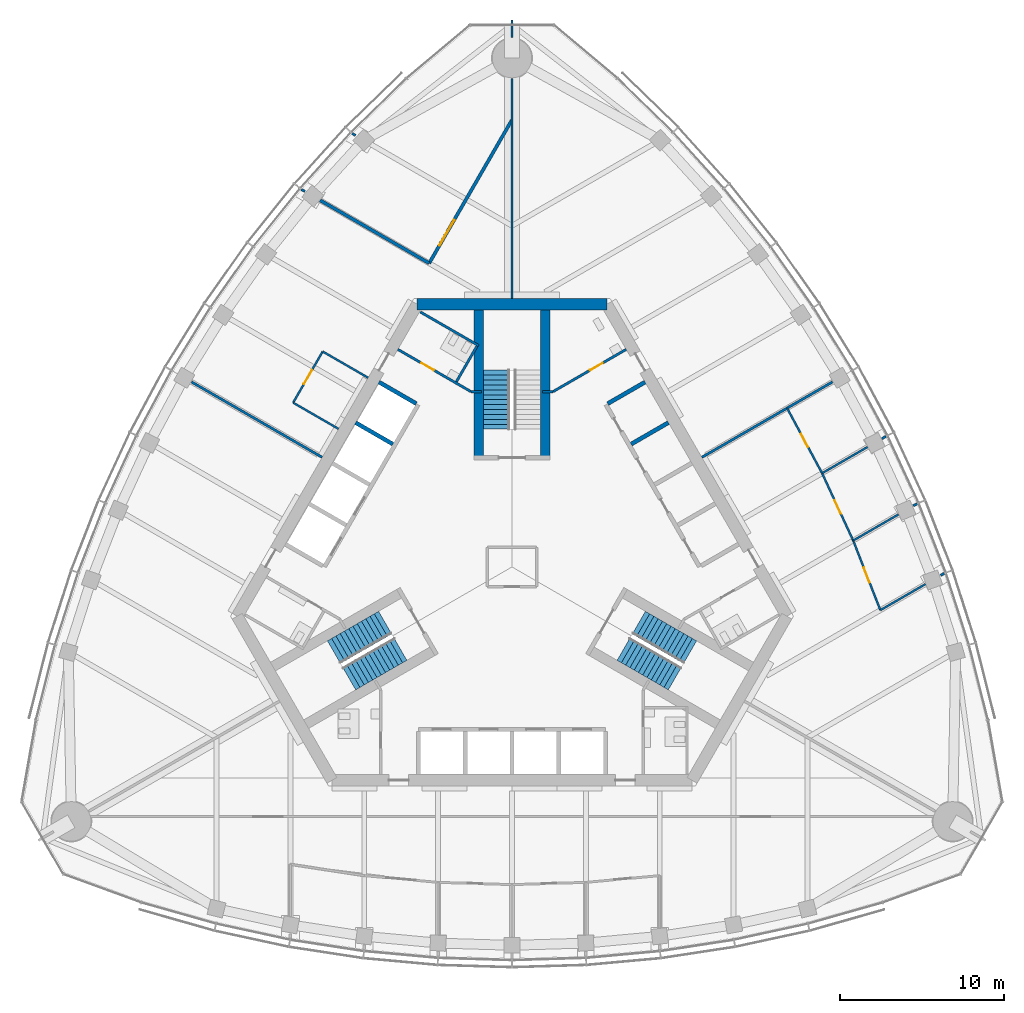
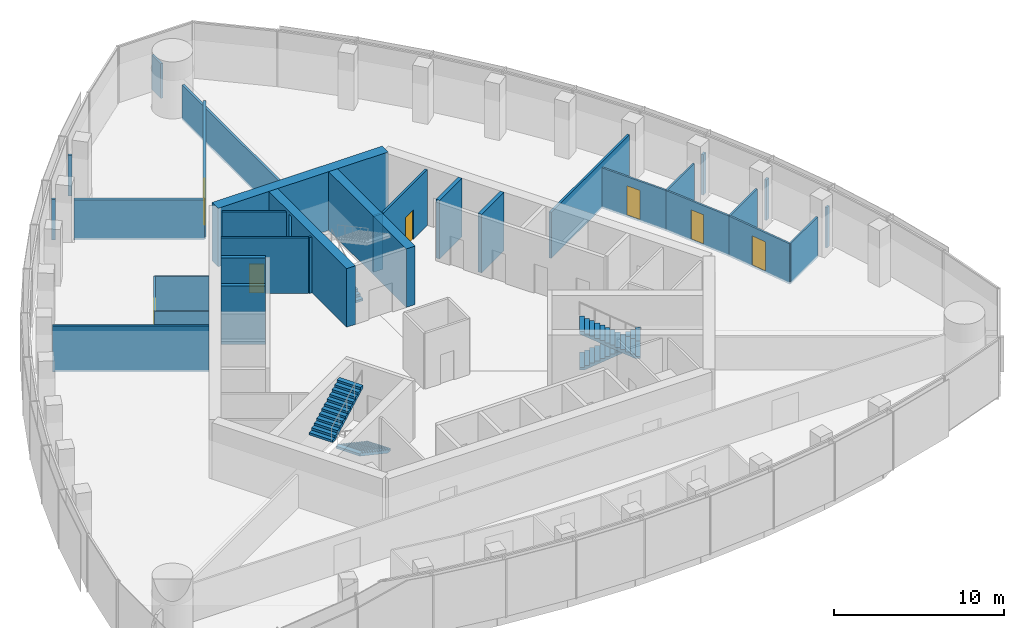
# One storey, part 10 of 16: 33 walls, 7 doors, 5 stair flights, 7 openings, 3 elements without a shape of their own.
"""IFC4 building model written with IfcOpenShell, lengths in metres."""

from ifc_helpers import new_model, si_unit, direction, frame, frame_2d, origin, place, context, subcontext, project, spatial, polyline, rectangle, outline, extrude, material, layer, layer_set, type_object, element, fill, aggregate, save


model = new_model("IFC4")

# Units and contexts
model_context = context("Model", 3, precision=1e-05, world=origin(), true_north=direction((0.0, 1.0)))
body_context = subcontext(model_context, "Body", "Model", "MODEL_VIEW")
ifc_project = project(units=[si_unit("LENGTHUNIT", "METRE"), si_unit("AREAUNIT", "SQUARE_METRE"), si_unit("VOLUMEUNIT", "CUBIC_METRE"), si_unit("PLANEANGLEUNIT", "RADIAN"), si_unit("MASSUNIT", "GRAM", prefix="KILO")], contexts=[model_context])

# Site, building, storey
site_placement = place(None, origin())
site = spatial("IfcSite", under=ifc_project, at=site_placement, CompositionType="ELEMENT")
building_placement = place(site_placement, origin())
building = spatial("IfcBuilding", under=site, at=building_placement, Name="Trefoil Bronze Tower", CompositionType="ELEMENT")
storey_placement = place(building_placement, frame((0.0, 0.0, 293.10009765625)))
storey = spatial("IfcBuildingStorey", under=building, at=storey_placement, Name="L67", CompositionType="ELEMENT", Elevation=293.10009765625)

# Wall, opening, door
ifc_material_1 = material(Name="Gypsum board on steel studs", Category="steel")
ifc_layer_1 = layer(ifc_material_1, 0.199951171875)
ifc_layer_set_1 = layer_set([ifc_layer_1], Name="Acoustic partition 200")
wall_type_1 = type_object("IfcWallType", Name="Acoustic partition 200", PredefinedType="PARTITIONING", material=ifc_layer_set_1)
wall_1_placement = place(storey_placement, frame((-5.045166015625, 18.50146484375, 0.0), z_axis=(0.0, 0.0, 1.0), x_axis=(0.499990381663, 0.866030956863, 0.0)))
wall_1 = element("IfcWall", 1, at=wall_1_placement, inside=storey, type_object=wall_type_1, Name="Partition F3 L67", PredefinedType="PARTITIONING", context=body_context, shape_type="SweptSolid", body=[
    extrude(rectangle(XDim=10.070068359375, YDim=0.199951171875, at=frame_2d((5.03515625, 0.0))), origin(), (0.0, 0.0, 1.0), 2.89990234375),
])
opening_1_placement = place(wall_1_placement, frame((1.25, 0.0, 0.14990234375)))
opening_1 = element("IfcOpeningElement", 2, at=opening_1_placement, cuts=wall_1, Name="Opening D10", PredefinedType="OPENING", context=body_context, shape_type="SweptSolid", body=[
    extrude(rectangle(XDim=1.800048828125, YDim=2.10009765625, at=frame_2d((0.89990234375, 1.050048828125))), frame((0.0, 0.10986328125, 0.0), z_axis=(0.0, -1.0, 0.0), x_axis=(1.0, 0.0, 0.0)), (0.0, 0.0, 1.0), 0.219970703125),
])
ifc_material_2 = material(Name="Timber door", Category="wood")
door_type_1 = type_object("IfcDoorType", Name="Double door 1800", OperationType="DOUBLE_DOOR_SINGLE_SWING", PredefinedType="DOOR", material=ifc_material_2)
door_1_placement = place(opening_1_placement, origin())
door_1 = element("IfcDoor", 3, at=door_1_placement, inside=storey, type_object=door_type_1, Name="Boardroom door F3 L67", OperationType="DOUBLE_DOOR_SINGLE_SWING", OverallHeight=2.10009765625, OverallWidth=1.800048828125, PredefinedType="DOOR", context=body_context, shape_type="SweptSolid", body=[
    extrude(rectangle(XDim=1.800048828125, YDim=2.10009765625, at=frame_2d((0.89990234375, 1.050048828125))), frame((0.0, 0.02490234375, 0.0), z_axis=(0.0, -1.0, 0.0), x_axis=(1.0, 0.0, 0.0)), (0.0, 0.0, 1.0), 0.050048828125),
])
fill(opening_1, door_1)

# Walls
wall_2_placement = place(storey_placement, frame((-5.045166015625, 18.50146484375, 0.0), z_axis=(0.0, 0.0, 1.0), x_axis=(-0.866036625086, 0.499980563632, 0.0)))
element("IfcWall", 4, at=wall_2_placement, inside=storey, type_object=wall_type_1, Name="Partition F3 L67", PredefinedType="PARTITIONING", context=body_context, shape_type="SweptSolid", body=[
    extrude(rectangle(XDim=7.669189453125, YDim=0.199951171875, at=frame_2d((3.83447265625, 0.0))), origin(), (0.0, 0.0, 1.0), 2.89990234375),
])
ifc_material_3 = material(Name="Concrete B80", Category="concrete")
ifc_layer_2 = layer(ifc_material_3, 0.699951171875)
ifc_layer_set_2 = layer_set([ifc_layer_2], Name="Core wall 700")
wall_type_2 = type_object("IfcWallType", Name="Core wall 700", PredefinedType="SHEAR", material=ifc_layer_set_2)
wall_3_placement = place(storey_placement, frame((5.7734375, 16.0, 0.0), z_axis=(0.0, 0.0, 1.0), x_axis=(-1.0, 0.0, 0.0)))
element("IfcWall", 5, at=wall_3_placement, inside=storey, type_object=wall_type_2, Name="Core short wall 2 L67", PredefinedType="SHEAR", context=body_context, shape_type="SweptSolid", body=[
    extrude(rectangle(XDim=11.546875, YDim=0.699951171875, at=frame_2d((5.7734375, 0.0))), origin(), (0.0, 0.0, 1.0), 4.199951171875),
])

# Wall, opening, door
ifc_material_4 = material(Name="Glazed partition", Category="glass")
ifc_layer_3 = layer(ifc_material_4, 0.1201171875)
ifc_layer_set_3 = layer_set([ifc_layer_3], Name="Glazed partition 120")
wall_type_3 = type_object("IfcWallType", Name="Glazed partition 120", PredefinedType="PARTITIONING", material=ifc_layer_set_3)
wall_4_placement = place(storey_placement, frame((22.439208984375, -2.63330078125, 0.0), z_axis=(0.0, 0.0, 1.0), x_axis=(-0.363212149153, 0.931706463811, 0.0)))
wall_4 = element("IfcWall", 6, at=wall_4_placement, inside=storey, type_object=wall_type_3, Name="Partition F2 L67", PredefinedType="PARTITIONING", context=body_context, shape_type="SweptSolid", body=[
    extrude(rectangle(XDim=4.552734375, YDim=0.1201171875, at=frame_2d((2.2763671875, 0.0))), origin(), (0.0, 0.0, 1.0), 2.89990234375),
])
opening_2_placement = place(wall_4_placement, frame((1.800048828125, 0.0, 0.14990234375)))
opening_2 = element("IfcOpeningElement", 7, at=opening_2_placement, cuts=wall_4, Name="Opening D9", PredefinedType="OPENING", context=body_context, shape_type="SweptSolid", body=[
    extrude(rectangle(XDim=1.0, YDim=2.10009765625, at=frame_2d((0.5, 1.050048828125))), frame((0.0, 0.070068359375, 0.0), z_axis=(0.0, -1.0, 0.0), x_axis=(1.0, 0.0, 0.0)), (0.0, 0.0, 1.0), 0.14013671875),
])
ifc_material_5 = material(Name="Glazed timber door", Category="wood")
door_type_2 = type_object("IfcDoorType", Name="Meeting room door 1000", OperationType="SINGLE_SWING_LEFT", PredefinedType="DOOR", material=ifc_material_5)
door_2_placement = place(opening_2_placement, frame((1.0, 0.0, 0.0), z_axis=(0.0, 0.0, 1.0), x_axis=(-1.0, 0.0, 0.0)))
door_2 = element("IfcDoor", 8, at=door_2_placement, inside=storey, type_object=door_type_2, Name="Meeting room door F2 L67", OperationType="SINGLE_SWING_LEFT", OverallHeight=2.10009765625, OverallWidth=1.0, PredefinedType="DOOR", context=body_context, shape_type="SweptSolid", body=[
    extrude(rectangle(XDim=1.0, YDim=2.10009765625, at=frame_2d((0.5, 1.050048828125))), frame((0.0, 0.02490234375, 0.0), z_axis=(0.0, -1.0, 0.0), x_axis=(1.0, 0.0, 0.0)), (0.0, 0.0, 1.0), 0.050048828125),
])
fill(opening_2, door_2)

wall_5_placement = place(storey_placement, frame((18.890869140625, 5.71044921875, 0.0), z_axis=(0.0, 0.0, 1.0), x_axis=(-0.473524102582, 0.880780860529, 0.0)))
wall_5 = element("IfcWall", 9, at=wall_5_placement, inside=storey, type_object=wall_type_3, Name="Partition F2 L67", PredefinedType="PARTITIONING", context=body_context, shape_type="SweptSolid", body=[
    extrude(rectangle(XDim=4.501953125, YDim=0.1201171875, at=frame_2d((2.2509765625, 0.0))), origin(), (0.0, 0.0, 1.0), 2.89990234375),
])
opening_3_placement = place(wall_5_placement, frame((1.800048828125, 0.0, 0.14990234375)))
opening_3 = element("IfcOpeningElement", 10, at=opening_3_placement, cuts=wall_5, Name="Opening D8", PredefinedType="OPENING", context=body_context, shape_type="SweptSolid", body=[
    extrude(rectangle(XDim=0.89990234375, YDim=2.10009765625, at=frame_2d((0.449951171875, 1.050048828125))), frame((0.0, 0.070068359375, 0.0), z_axis=(0.0, -1.0, 0.0), x_axis=(1.0, 0.0, 0.0)), (0.0, 0.0, 1.0), 0.14013671875),
])
ifc_material_6 = material(Name="Timber door", Category="wood")
door_type_3 = type_object("IfcDoorType", Name="Office door 900", OperationType="SINGLE_SWING_LEFT", PredefinedType="DOOR", material=ifc_material_6)
door_3_placement = place(opening_3_placement, frame((0.89990234375, 0.0, 0.0), z_axis=(0.0, 0.0, 1.0), x_axis=(-1.0, 0.0, 0.0)))
door_3 = element("IfcDoor", 11, at=door_3_placement, inside=storey, type_object=door_type_3, Name="Office door F2 L67", OperationType="SINGLE_SWING_RIGHT", OverallHeight=2.10009765625, OverallWidth=0.89990234375, PredefinedType="DOOR", context=body_context, shape_type="SweptSolid", body=[
    extrude(rectangle(XDim=0.89990234375, YDim=2.10009765625, at=frame_2d((0.449951171875, 1.050048828125))), frame((0.0, 0.02490234375, 0.0), z_axis=(0.0, -1.0, 0.0), x_axis=(1.0, 0.0, 0.0)), (0.0, 0.0, 1.0), 0.050048828125),
])
fill(opening_3, door_3)

wall_6_placement = place(storey_placement, frame((20.78564453125, 1.6083984375, 0.0), z_axis=(0.0, 0.0, 1.0), x_axis=(-0.419335693458, 0.907831248742, 0.0)))
wall_6 = element("IfcWall", 12, at=wall_6_placement, inside=storey, type_object=wall_type_3, Name="Partition F2 L67", PredefinedType="PARTITIONING", context=body_context, shape_type="SweptSolid", body=[
    extrude(rectangle(XDim=4.5185546875, YDim=0.1201171875, at=frame_2d((2.25927734375, 0.0))), origin(), (0.0, 0.0, 1.0), 2.89990234375),
])
opening_4_placement = place(wall_6_placement, frame((1.800048828125, 0.0, 0.14990234375)))
opening_4 = element("IfcOpeningElement", 13, at=opening_4_placement, cuts=wall_6, Name="Opening D8", PredefinedType="OPENING", context=body_context, shape_type="SweptSolid", body=[
    extrude(rectangle(XDim=0.89990234375, YDim=2.10009765625, at=frame_2d((0.449951171875, 1.050048828125))), frame((0.0, 0.070068359375, 0.0), z_axis=(0.0, -1.0, 0.0), x_axis=(1.0, 0.0, 0.0)), (0.0, 0.0, 1.0), 0.14013671875),
])
door_4_placement = place(opening_4_placement, frame((0.89990234375, 0.0, 0.0), z_axis=(0.0, 0.0, 1.0), x_axis=(-1.0, 0.0, 0.0)))
door_4 = element("IfcDoor", 14, at=door_4_placement, inside=storey, type_object=door_type_3, Name="Office door F2 L67", OperationType="SINGLE_SWING_RIGHT", OverallHeight=2.10009765625, OverallWidth=0.89990234375, PredefinedType="DOOR", context=body_context, shape_type="SweptSolid", body=[
    extrude(rectangle(XDim=0.89990234375, YDim=2.10009765625, at=frame_2d((0.449951171875, 1.050048828125))), frame((0.0, 0.02490234375, 0.0), z_axis=(0.0, -1.0, 0.0), x_axis=(1.0, 0.0, 0.0)), (0.0, 0.0, 1.0), 0.050048828125),
])
fill(opening_4, door_4)

# Walls
wall_7_placement = place(storey_placement, frame((22.439208984375, -2.63330078125, 0.0), z_axis=(0.0, 0.0, 1.0), x_axis=(0.86599465956, 0.500053246778, 0.0)))
element("IfcWall", 15, at=wall_7_placement, inside=storey, type_object=wall_type_3, Name="Partition F2 L67", PredefinedType="PARTITIONING", context=body_context, shape_type="SweptSolid", body=[
    extrude(rectangle(XDim=3.173095703125, YDim=0.1201171875, at=frame_2d((1.58642578125, 0.0))), origin(), (0.0, 0.0, 1.0), 2.89990234375),
])
wall_8_placement = place(storey_placement, frame((18.890869140625, 5.71044921875, 0.0), z_axis=(0.0, 0.0, 1.0), x_axis=(0.866008575759, 0.500029145862, 0.0)))
element("IfcWall", 16, at=wall_8_placement, inside=storey, type_object=wall_type_3, Name="Partition F2 L67", PredefinedType="PARTITIONING", context=body_context, shape_type="SweptSolid", body=[
    extrude(rectangle(XDim=3.192626953125, YDim=0.1201171875, at=frame_2d((1.59619140625, 0.0))), origin(), (0.0, 0.0, 1.0), 2.89990234375),
])
wall_9_placement = place(storey_placement, frame((20.78564453125, 1.6083984375, 0.0), z_axis=(0.0, 0.0, 1.0), x_axis=(0.866060515081, 0.499939180519, 0.0)))
element("IfcWall", 17, at=wall_9_placement, inside=storey, type_object=wall_type_3, Name="Partition F2 L67", PredefinedType="PARTITIONING", context=body_context, shape_type="SweptSolid", body=[
    extrude(rectangle(XDim=3.185546875, YDim=0.1201171875, at=frame_2d((1.5927734375, 0.0))), origin(), (0.0, 0.0, 1.0), 2.89990234375),
])

# Wall, opening, door
wall_10_placement = place(storey_placement, frame((-11.53271484375, 13.124755859375, 0.0), z_axis=(0.0, 0.0, 1.0), x_axis=(-0.500012057535, -0.866018442252, 0.0)))
wall_10 = element("IfcWall", 18, at=wall_10_placement, inside=storey, type_object=wall_type_3, Name="Partition F3 L67", PredefinedType="PARTITIONING", context=body_context, shape_type="SweptSolid", body=[
    extrude(rectangle(XDim=3.60009765625, YDim=0.1201171875, at=frame_2d((1.800048828125, 0.0))), origin(), (0.0, 0.0, 1.0), 2.89990234375),
])
opening_5_placement = place(wall_10_placement, frame((1.300048828125, 0.0, 0.14990234375)))
opening_5 = element("IfcOpeningElement", 19, at=opening_5_placement, cuts=wall_10, Name="Opening D9", PredefinedType="OPENING", context=body_context, shape_type="SweptSolid", body=[
    extrude(rectangle(XDim=1.0, YDim=2.10009765625, at=frame_2d((0.5, 1.050048828125))), frame((0.0, 0.070068359375, 0.0), z_axis=(0.0, -1.0, 0.0), x_axis=(1.0, 0.0, 0.0)), (0.0, 0.0, 1.0), 0.14013671875),
])
door_5_placement = place(opening_5_placement, origin())
door_5 = element("IfcDoor", 20, at=door_5_placement, inside=storey, type_object=door_type_2, Name="Meeting room door F3 L67", OperationType="SINGLE_SWING_RIGHT", OverallHeight=2.10009765625, OverallWidth=1.0, PredefinedType="DOOR", context=body_context, shape_type="SweptSolid", body=[
    extrude(rectangle(XDim=1.0, YDim=2.10009765625, at=frame_2d((0.5, 1.050048828125))), frame((0.0, 0.02490234375, 0.0), z_axis=(0.0, -1.0, 0.0), x_axis=(1.0, 0.0, 0.0)), (0.0, 0.0, 1.0), 0.050048828125),
])
fill(opening_5, door_5)

# Walls
for number, where, z_axis, x_axis, name in (
    (21, (-10.5615234375, 8.406982421875, 0.0), (0.0, 0.0, 1.0), (-0.866008981251, 0.500028443584, 0.0), "Partition F3 L67"),
    (22, (-8.761474609375, 11.524658203125, 0.0), (0.0, 0.0, 1.0), (-0.866008981251, 0.500028443584, 0.0), "Partition F3 L67"),
):
    element("IfcWall", number, at=place(storey_placement, frame(where, z_axis=z_axis, x_axis=x_axis)), inside=storey, type_object=wall_type_3, Name=name, PredefinedType="PARTITIONING", context=body_context, shape_type="SweptSolid", body=[
        extrude(rectangle(XDim=3.199951171875, YDim=0.1201171875, at=frame_2d((1.60009765625, 0.0))), origin(), (0.0, 0.0, 1.0), 2.89990234375),
    ])

# Wall, opening, door
ifc_material_7 = material(Name="Gypsum board on steel studs", Category="steel")
ifc_layer_4 = layer(ifc_material_7, 0.14990234375)
ifc_layer_set_4 = layer_set([ifc_layer_4], Name="Partition 150")
wall_type_4 = type_object("IfcWallType", Name="Partition 150", PredefinedType="PARTITIONING", material=ifc_layer_set_4)
wall_11_placement = place(storey_placement, frame((2.4951171875, 10.67822265625, 0.0), z_axis=(0.0, 0.0, 1.0), x_axis=(0.866037967349, 0.499978238636, 0.0)))
wall_11 = element("IfcWall", 23, at=wall_11_placement, inside=storey, type_object=wall_type_4, Name="Passage wall F2+ L67", PredefinedType="PARTITIONING", context=body_context, shape_type="SweptSolid", body=[
    extrude(rectangle(XDim=5.150146484375, YDim=0.14990234375, at=frame_2d((2.5751953125, 0.0))), origin(), (0.0, 0.0, 1.0), 4.0),
])
opening_6_placement = place(wall_11_placement, frame((2.60009765625, 0.0, 0.0)))
opening_6 = element("IfcOpeningElement", 24, at=opening_6_placement, cuts=wall_11, Name="Opening D3", PredefinedType="OPENING", context=body_context, shape_type="SweptSolid", body=[
    extrude(rectangle(XDim=0.89990234375, YDim=2.10009765625, at=frame_2d((0.449951171875, 1.050048828125))), frame((0.0, 0.0849609375, 0.0), z_axis=(0.0, -1.0, 0.0), x_axis=(1.0, 0.0, 0.0)), (0.0, 0.0, 1.0), 0.169921875),
])
ifc_material_8 = material(Name="Timber door", Category="wood")
door_type_4 = type_object("IfcDoorType", Name="WC door 900", OperationType="SINGLE_SWING_LEFT", PredefinedType="DOOR", material=ifc_material_8)
door_6_placement = place(opening_6_placement, origin())
door_6 = element("IfcDoor", 25, at=door_6_placement, inside=storey, type_object=door_type_4, Name="Accessible WC door L67", OperationType="SINGLE_SWING_RIGHT", OverallHeight=2.10009765625, OverallWidth=0.89990234375, PredefinedType="DOOR", context=body_context, shape_type="SweptSolid", body=[
    extrude(rectangle(XDim=0.89990234375, YDim=2.10009765625, at=frame_2d((0.449951171875, 1.050048828125))), frame((0.0, 0.02490234375, 0.0), z_axis=(0.0, -1.0, 0.0), x_axis=(1.0, 0.0, 0.0)), (0.0, 0.0, 1.0), 0.050048828125),
])
fill(opening_6, door_6)

wall_12_placement = place(storey_placement, frame((-2.4951171875, 10.67822265625, 0.0), z_axis=(0.0, 0.0, 1.0), x_axis=(-0.866037967349, 0.499978238636, 0.0)))
wall_12 = element("IfcWall", 26, at=wall_12_placement, inside=storey, type_object=wall_type_4, Name="Passage wall F3- L67", PredefinedType="PARTITIONING", context=body_context, shape_type="SweptSolid", body=[
    extrude(rectangle(XDim=5.150146484375, YDim=0.14990234375, at=frame_2d((2.5751953125, 0.0))), origin(), (0.0, 0.0, 1.0), 4.0),
])
opening_7_placement = place(wall_12_placement, frame((2.60009765625, 0.0, 0.0)))
opening_7 = element("IfcOpeningElement", 27, at=opening_7_placement, cuts=wall_12, Name="Opening D3", PredefinedType="OPENING", context=body_context, shape_type="SweptSolid", body=[
    extrude(rectangle(XDim=0.89990234375, YDim=2.10009765625, at=frame_2d((0.449951171875, 1.050048828125))), frame((0.0, 0.0849609375, 0.0), z_axis=(0.0, -1.0, 0.0), x_axis=(1.0, 0.0, 0.0)), (0.0, 0.0, 1.0), 0.169921875),
])
door_7_placement = place(opening_7_placement, frame((0.89990234375, 0.0, 0.0), z_axis=(0.0, 0.0, 1.0), x_axis=(-1.0, 0.0, 0.0)))
door_7 = element("IfcDoor", 28, at=door_7_placement, inside=storey, type_object=door_type_4, Name="WC (women) door L67", OperationType="SINGLE_SWING_RIGHT", OverallHeight=2.10009765625, OverallWidth=0.89990234375, PredefinedType="DOOR", context=body_context, shape_type="SweptSolid", body=[
    extrude(rectangle(XDim=0.89990234375, YDim=2.10009765625, at=frame_2d((0.449951171875, 1.050048828125))), frame((0.0, 0.02490234375, 0.0), z_axis=(0.0, -1.0, 0.0), x_axis=(1.0, 0.0, 0.0)), (0.0, 0.0, 1.0), 0.050048828125),
])
fill(opening_7, door_7)

# Walls
for number, where, z_axis, x_axis, name in (
    (29, (2.4951171875, 10.67822265625, 0.0), (0.0, 0.0, 1.0), (-1.0, 0.0, 0.0), "WC wall ST2-1 L67"),
    (30, (-2.4951171875, 10.67822265625, 0.0), (0.0, 0.0, 1.0), (1.0, 0.0, 0.0), "WC wall ST2+1 L67"),
):
    element("IfcWall", number, at=place(storey_placement, frame(where, z_axis=z_axis, x_axis=x_axis)), inside=storey, type_object=wall_type_4, Name=name, PredefinedType="PARTITIONING", context=body_context, shape_type="SweptSolid", body=[
        extrude(rectangle(XDim=0.64501953125, YDim=0.14990234375, at=frame_2d((0.322509765625, 0.0))), origin(), (0.0, 0.0, 1.0), 4.0),
    ])
wall_13_placement = place(storey_placement, frame((-2.03125, 13.48193359375, 0.0), z_axis=(0.0, 0.0, 1.0), x_axis=(-0.866050731258, 0.499956128963, 0.0)))
element("IfcWall", 31, at=wall_13_placement, inside=storey, type_object=wall_type_4, Name="WC partition WC (women) L67", PredefinedType="PARTITIONING", context=body_context, shape_type="SweptSolid", body=[
    extrude(rectangle(XDim=4.099853515625, YDim=0.14990234375, at=frame_2d((2.0498046875, 0.0))), origin(), (0.0, 0.0, 1.0), 4.0),
])
wall_14_placement = place(storey_placement, frame((-3.388671875, 11.28076171875, 0.0), z_axis=(0.0, 0.0, 1.0), x_axis=(0.499989096993, 0.866031698547, 0.0)))
element("IfcWall", 32, at=wall_14_placement, inside=storey, type_object=wall_type_4, Name="WC partition WC (women) L67", PredefinedType="PARTITIONING", context=body_context, shape_type="SweptSolid", body=[
    extrude(rectangle(XDim=2.509765625, YDim=0.14990234375, at=frame_2d((1.2548828125, 0.0))), origin(), (0.0, 0.0, 1.0), 4.0),
])
wall_15_placement = place(storey_placement, frame((26.114501953125, -0.51123046875, 0.0), z_axis=(0.0, 0.0, 1.0), x_axis=(0.866201770413, 0.499694399542, 0.0)))
element("IfcWall", 33, at=wall_15_placement, inside=storey, type_object=wall_type_4, Name="Partition F2 L67", PredefinedType="PARTITIONING", context=body_context, shape_type="SweptSolid", body=[
    extrude(rectangle(XDim=0.251220703125, YDim=0.14990234375, at=frame_2d((0.12548828125, 0.0))), origin(), (0.0, 0.0, 1.0), 2.89990234375),
])
wall_16_placement = place(storey_placement, frame((22.532958984375, 7.813232421875, 0.0), z_axis=(0.0, 0.0, 1.0), x_axis=(0.866003030001, 0.500038750527, 0.0)))
element("IfcWall", 34, at=wall_16_placement, inside=storey, type_object=wall_type_4, Name="Partition F2 L67", PredefinedType="PARTITIONING", context=body_context, shape_type="SweptSolid", body=[
    extrude(rectangle(XDim=0.28955078125, YDim=0.14990234375, at=frame_2d((0.144775390625, 0.0))), origin(), (0.0, 0.0, 1.0), 2.89990234375),
])
wall_17_placement = place(storey_placement, frame((24.446533203125, 3.721923828125, 0.0), z_axis=(0.0, 0.0, 1.0), x_axis=(0.866215944259, 0.499669828899, 0.0)))
element("IfcWall", 35, at=wall_17_placement, inside=storey, type_object=wall_type_4, Name="Partition F2 L67", PredefinedType="PARTITIONING", context=body_context, shape_type="SweptSolid", body=[
    extrude(rectangle(XDim=0.267822265625, YDim=0.14990234375, at=frame_2d((0.1337890625, 0.0))), origin(), (0.0, 0.0, 1.0), 2.89990234375),
])
wall_18_placement = place(storey_placement, frame((-12.614501953125, 22.87158203125, 0.0), z_axis=(0.0, 0.0, 1.0), x_axis=(-0.866201770413, 0.499694399542, 0.0)))
element("IfcWall", 36, at=wall_18_placement, inside=storey, type_object=wall_type_4, Name="Partition F3 L67", PredefinedType="PARTITIONING", context=body_context, shape_type="SweptSolid", body=[
    extrude(rectangle(XDim=0.251220703125, YDim=0.14990234375, at=frame_2d((0.12548828125, 0.0))), origin(), (0.0, 0.0, 1.0), 2.89990234375),
])
wall_19_placement = place(storey_placement, frame((-9.52978515625, 26.28662109375, 0.0), z_axis=(0.0, 0.0, 1.0), x_axis=(-0.866100656052, 0.499869636591, 0.0)))
element("IfcWall", 37, at=wall_19_placement, inside=storey, type_object=wall_type_4, Name="Partition F3 L67", PredefinedType="PARTITIONING", context=body_context, shape_type="SweptSolid", body=[
    extrude(rectangle(XDim=0.2392578125, YDim=0.14990234375, at=frame_2d((0.11962890625, 0.0))), origin(), (0.0, 0.0, 1.0), 2.89990234375),
])
ifc_material_9 = material(Name="Gypsum board on steel studs", Category="steel")
ifc_layer_5 = layer(ifc_material_9, 0.14990234375)
ifc_layer_set_5 = layer_set([ifc_layer_5], Name="Party wall 150")
wall_type_5 = type_object("IfcWallType", Name="Party wall 150", PredefinedType="PARTITIONING", material=ifc_layer_set_5)
wall_20_placement = place(storey_placement, frame((0.0, 16.35009765625, 0.0), z_axis=(0.0, 0.0, 1.0), x_axis=(0.0, 1.0, 0.0)))
element("IfcWall", 38, at=wall_20_placement, inside=storey, type_object=wall_type_5, Name="Party wall K2 L67", PredefinedType="PARTITIONING", context=body_context, shape_type="SweptSolid", body=[
    extrude(rectangle(XDim=13.39990234375, YDim=0.14990234375, at=frame_2d((6.699951171875, 0.0))), origin(), (0.0, 0.0, 1.0), 2.5),
])
wall_21_placement = place(storey_placement, frame((0.0, 32.25, 0.0), z_axis=(0.0, 0.0, 1.0), x_axis=(0.0, 1.0, 0.0)))
element("IfcWall", 39, at=wall_21_placement, inside=storey, type_object=wall_type_5, Name="Party wall K2 L67", PredefinedType="PARTITIONING", context=body_context, shape_type="SweptSolid", body=[
    extrude(rectangle(XDim=1.06982421875, YDim=0.14990234375, at=frame_2d((0.534912109375, 0.0))), origin(), (0.0, 0.0, 1.0), 2.5),
])
for number, where, z_axis, x_axis, name in (
    (40, (11.570068359375, 6.679931640625, 0.0), (0.0, 0.0, 1.0), (0.866026706704, 0.49999774327, 0.0), "Demising wall F2 L67"),
    (41, (-11.570068359375, 6.679931640625, 0.0), (0.0, 0.0, 1.0), (-0.866026706704, 0.49999774327, 0.0), "Demising wall F3 L67"),
):
    element("IfcWall", number, at=place(storey_placement, frame(where, z_axis=z_axis, x_axis=x_axis)), inside=storey, type_object=wall_type_5, Name=name, PredefinedType="PARTITIONING", context=body_context, shape_type="SweptSolid", body=[
        extrude(rectangle(XDim=9.1865234375, YDim=0.14990234375, at=frame_2d((4.59326171875, 0.0))), origin(), (0.0, 0.0, 1.0), 3.2998046875),
    ])
ifc_material_10 = material(Name="Concrete B80", Category="concrete")
ifc_layer_6 = layer(ifc_material_10, 0.25)
ifc_layer_set_6 = layer_set([ifc_layer_6], Name="Shaft wall 250")
wall_type_6 = type_object("IfcWallType", Name="Shaft wall 250", PredefinedType="SHEAR", material=ifc_layer_set_6)
for number, where, z_axis, x_axis, name in (
    (42, (7.2568359375, 7.480712890625, 0.0), (0.0, 0.0, 1.0), (0.866036909293, 0.499980071345, 0.0), "Lift shaft side wall B3 L67"),
    (43, (5.831787109375, 9.94873046875, 0.0), (0.0, 0.0, 1.0), (0.866036909293, 0.499980071345, 0.0), "Lift shaft side wall B4 L67"),
    (44, (-5.831787109375, 9.94873046875, 0.0), (0.0, 0.0, 1.0), (-0.866036909293, 0.499980071345, 0.0), "Lift shaft side wall C0 L67"),
    (45, (-7.2568359375, 7.480712890625, 0.0), (0.0, 0.0, 1.0), (-0.866036909293, 0.499980071345, 0.0), "Lift shaft side wall C1 L67"),
):
    element("IfcWall", number, at=place(storey_placement, frame(where, z_axis=z_axis, x_axis=x_axis)), inside=storey, type_object=wall_type_6, Name=name, PredefinedType="SHEAR", context=body_context, shape_type="SweptSolid", body=[
        extrude(rectangle(XDim=2.625, YDim=0.25, at=frame_2d((1.3125, 0.0))), origin(), (0.0, 0.0, 1.0), 4.199951171875),
    ])
ifc_material_11 = material(Name="Concrete B80", Category="concrete")
ifc_layer_7 = layer(ifc_material_11, 0.60009765625)
ifc_layer_set_7 = layer_set([ifc_layer_7], Name="Stair wall 600")
wall_type_7 = type_object("IfcWallType", Name="Stair wall 600", PredefinedType="SHEAR", material=ifc_layer_set_7)
for number, where, z_axis, x_axis, name in (
    (46, (2.02490234375, 6.52490234375, 0.0), (0.0, 0.0, 1.0), (0.0, 1.0, 0.0), "Stair wall ST2 L67"),
    (47, (-2.02490234375, 6.52490234375, 0.0), (0.0, 0.0, 1.0), (0.0, 1.0, 0.0), "Stair wall ST2 L67"),
):
    element("IfcWall", number, at=place(storey_placement, frame(where, z_axis=z_axis, x_axis=x_axis)), inside=storey, type_object=wall_type_7, Name=name, PredefinedType="SHEAR", context=body_context, shape_type="SweptSolid", body=[
        extrude(rectangle(XDim=9.125, YDim=0.60009765625, at=frame_2d((4.5625, 0.0))), origin(), (0.0, 0.0, 1.0), 4.199951171875),
    ])

# Stair, stair flights
ifc_material_12 = material(Name="Precast concrete B80", Category="concrete")
stair_type = type_object("IfcStairType", Name="Exit stair 26 risers", PredefinedType="HALF_TURN_STAIR", material=ifc_material_12)
stair_1_placement = place(storey_placement, origin())
stair_1 = element("IfcStair", 48, at=stair_1_placement, inside=storey, type_object=stair_type, Name="Stair ST1 L67", PredefinedType="HALF_TURN_STAIR")
ifc_material_13 = material(Name="Precast concrete B80", Category="concrete")
stair_flight_type = type_object("IfcStairFlightType", Name="Stair flight 1600", PredefinedType="STRAIGHT", material=ifc_material_13)
stair_flight_1_placement = place(storey_placement, frame((7.728515625, -3.39404296875, 0.0), z_axis=(0.0, 0.0, 1.0), x_axis=(0.866025403784, -0.5, 0.0)))
stair_flight_1 = element("IfcStairFlight", 49, at=stair_flight_1_placement, type_object=stair_flight_type, Name="ST1 flight 1", NumberOfRisers=13, NumberOfTreads=12, PredefinedType="STRAIGHT", RiserHeight=0.161538462, TreadLength=0.3, context=body_context, shape_type="SweptSolid", body=[
    extrude(outline(polyline([(0.0, 0.0), (0.0, 0.16162109375), (0.300048828125, 0.16162109375), (0.300048828125, 0.322998046875), (0.60009765625, 0.322998046875), (0.60009765625, 0.484619140625), (0.89990234375, 0.484619140625), (0.89990234375, 0.646240234375), (1.199951171875, 0.646240234375), (1.199951171875, 0.8076171875), (1.5, 0.8076171875), (1.5, 0.96923828125), (1.800048828125, 0.96923828125), (1.800048828125, 1.130859375), (2.10009765625, 1.130859375), (2.10009765625, 1.292236328125), (2.39990234375, 1.292236328125), (2.39990234375, 1.453857421875), (2.699951171875, 1.453857421875), (2.699951171875, 1.615478515625), (3.0, 1.615478515625), (3.0, 1.77685546875), (3.300048828125, 1.77685546875), (3.300048828125, 1.9384765625), (3.60009765625, 1.9384765625), (3.60009765625, 2.10009765625), (3.60009765625, 1.768310546875), (0.316162109375, 0.0), (0.0, 0.0)])), frame((0.0, 0.800048828125, 0.0), z_axis=(0.0, -1.0, 0.0), x_axis=(1.0, 0.0, 0.0)), (0.0, 0.0, 1.0), 1.60009765625),
])
stair_flight_2_placement = place(storey_placement, frame((9.921142578125, -6.796142578125, 2.099853515625), z_axis=(0.0, 0.0, 1.0), x_axis=(-0.866025403784, 0.5, 0.0)))
stair_flight_2 = element("IfcStairFlight", 50, at=stair_flight_2_placement, type_object=stair_flight_type, Name="ST1 flight 2", NumberOfRisers=13, NumberOfTreads=12, PredefinedType="STRAIGHT", RiserHeight=0.161538462, TreadLength=0.3, context=body_context, shape_type="SweptSolid", body=[
    extrude(outline(polyline([(0.0, 0.0), (0.0, 0.16162109375), (0.300048828125, 0.16162109375), (0.300048828125, 0.322998046875), (0.60009765625, 0.322998046875), (0.60009765625, 0.484619140625), (0.89990234375, 0.484619140625), (0.89990234375, 0.646240234375), (1.199951171875, 0.646240234375), (1.199951171875, 0.8076171875), (1.5, 0.8076171875), (1.5, 0.96923828125), (1.800048828125, 0.96923828125), (1.800048828125, 1.130859375), (2.10009765625, 1.130859375), (2.10009765625, 1.292236328125), (2.39990234375, 1.292236328125), (2.39990234375, 1.453857421875), (2.699951171875, 1.453857421875), (2.699951171875, 1.615478515625), (3.0, 1.615478515625), (3.0, 1.77685546875), (3.300048828125, 1.77685546875), (3.300048828125, 1.9384765625), (3.60009765625, 1.9384765625), (3.60009765625, 2.10009765625), (3.60009765625, 1.768310546875), (0.316162109375, 0.0), (0.0, 0.0)])), frame((0.0, 0.800048828125, 0.0), z_axis=(0.0, -1.0, 0.0), x_axis=(1.0, 0.0, 0.0)), (0.0, 0.0, 1.0), 1.60009765625),
])
aggregate(stair_1, [stair_flight_1, stair_flight_2])

# Stair, stair flight
stair_2_placement = place(storey_placement, origin())
stair_2 = element("IfcStair", 51, at=stair_2_placement, inside=storey, type_object=stair_type, Name="Stair ST2 L67", PredefinedType="HALF_TURN_STAIR")
stair_flight_3_placement = place(storey_placement, frame((-0.925048828125, 8.389892578125, 0.0), z_axis=(0.0, 0.0, 1.0), x_axis=(0.0, 1.0, 0.0)))
stair_flight_3 = element("IfcStairFlight", 52, at=stair_flight_3_placement, type_object=stair_flight_type, Name="ST2 flight 1", NumberOfRisers=13, NumberOfTreads=12, PredefinedType="STRAIGHT", RiserHeight=0.161538462, TreadLength=0.3, context=body_context, shape_type="SweptSolid", body=[
    extrude(outline(polyline([(0.0, 0.0), (0.0, 0.16162109375), (0.300048828125, 0.16162109375), (0.300048828125, 0.322998046875), (0.60009765625, 0.322998046875), (0.60009765625, 0.484619140625), (0.89990234375, 0.484619140625), (0.89990234375, 0.646240234375), (1.199951171875, 0.646240234375), (1.199951171875, 0.8076171875), (1.5, 0.8076171875), (1.5, 0.96923828125), (1.800048828125, 0.96923828125), (1.800048828125, 1.130859375), (2.10009765625, 1.130859375), (2.10009765625, 1.292236328125), (2.39990234375, 1.292236328125), (2.39990234375, 1.453857421875), (2.699951171875, 1.453857421875), (2.699951171875, 1.615478515625), (3.0, 1.615478515625), (3.0, 1.77685546875), (3.300048828125, 1.77685546875), (3.300048828125, 1.9384765625), (3.60009765625, 1.9384765625), (3.60009765625, 2.10009765625), (3.60009765625, 1.768310546875), (0.316162109375, 0.0), (0.0, 0.0)])), frame((0.0, 0.800048828125, 0.0), z_axis=(0.0, -1.0, 0.0), x_axis=(1.0, 0.0, 0.0)), (0.0, 0.0, 1.0), 1.60009765625),
])
aggregate(stair_2, [stair_flight_3])

# Stair, stair flights
stair_3_placement = place(storey_placement, origin())
stair_3 = element("IfcStair", 53, at=stair_3_placement, inside=storey, type_object=stair_type, Name="Stair ST3 L67", PredefinedType="HALF_TURN_STAIR")
stair_flight_4_placement = place(storey_placement, frame((-6.803466796875, -4.99609375, 0.0), z_axis=(0.0, 0.0, 1.0), x_axis=(-0.866025403784, -0.5, 0.0)))
stair_flight_4 = element("IfcStairFlight", 54, at=stair_flight_4_placement, type_object=stair_flight_type, Name="ST3 flight 1", NumberOfRisers=13, NumberOfTreads=12, PredefinedType="STRAIGHT", RiserHeight=0.161538462, TreadLength=0.3, context=body_context, shape_type="SweptSolid", body=[
    extrude(outline(polyline([(0.0, 0.0), (0.0, 0.16162109375), (0.300048828125, 0.16162109375), (0.300048828125, 0.322998046875), (0.60009765625, 0.322998046875), (0.60009765625, 0.484619140625), (0.89990234375, 0.484619140625), (0.89990234375, 0.646240234375), (1.199951171875, 0.646240234375), (1.199951171875, 0.8076171875), (1.5, 0.8076171875), (1.5, 0.96923828125), (1.800048828125, 0.96923828125), (1.800048828125, 1.130859375), (2.10009765625, 1.130859375), (2.10009765625, 1.292236328125), (2.39990234375, 1.292236328125), (2.39990234375, 1.453857421875), (2.699951171875, 1.453857421875), (2.699951171875, 1.615478515625), (3.0, 1.615478515625), (3.0, 1.77685546875), (3.300048828125, 1.77685546875), (3.300048828125, 1.9384765625), (3.60009765625, 1.9384765625), (3.60009765625, 2.10009765625), (3.60009765625, 1.768310546875), (0.316162109375, 0.0), (0.0, 0.0)])), frame((0.0, 0.800048828125, 0.0), z_axis=(0.0, -1.0, 0.0), x_axis=(1.0, 0.0, 0.0)), (0.0, 0.0, 1.0), 1.60009765625),
])
stair_flight_5_placement = place(storey_placement, frame((-10.84619140625, -5.19384765625, 2.099853515625), z_axis=(0.0, 0.0, 1.0), x_axis=(0.866025403784, 0.5, 0.0)))
stair_flight_5 = element("IfcStairFlight", 55, at=stair_flight_5_placement, type_object=stair_flight_type, Name="ST3 flight 2", NumberOfRisers=13, NumberOfTreads=12, PredefinedType="STRAIGHT", RiserHeight=0.161538462, TreadLength=0.3, context=body_context, shape_type="SweptSolid", body=[
    extrude(outline(polyline([(0.0, 0.0), (0.0, 0.16162109375), (0.300048828125, 0.16162109375), (0.300048828125, 0.322998046875), (0.60009765625, 0.322998046875), (0.60009765625, 0.484619140625), (0.89990234375, 0.484619140625), (0.89990234375, 0.646240234375), (1.199951171875, 0.646240234375), (1.199951171875, 0.8076171875), (1.5, 0.8076171875), (1.5, 0.96923828125), (1.800048828125, 0.96923828125), (1.800048828125, 1.130859375), (2.10009765625, 1.130859375), (2.10009765625, 1.292236328125), (2.39990234375, 1.292236328125), (2.39990234375, 1.453857421875), (2.699951171875, 1.453857421875), (2.699951171875, 1.615478515625), (3.0, 1.615478515625), (3.0, 1.77685546875), (3.300048828125, 1.77685546875), (3.300048828125, 1.9384765625), (3.60009765625, 1.9384765625), (3.60009765625, 2.10009765625), (3.60009765625, 1.768310546875), (0.316162109375, 0.0), (0.0, 0.0)])), frame((0.0, 0.800048828125, 0.0), z_axis=(0.0, -1.0, 0.0), x_axis=(1.0, 0.0, 0.0)), (0.0, 0.0, 1.0), 1.60009765625),
])
aggregate(stair_3, [stair_flight_4, stair_flight_5])

save(model, "model.ifc")
